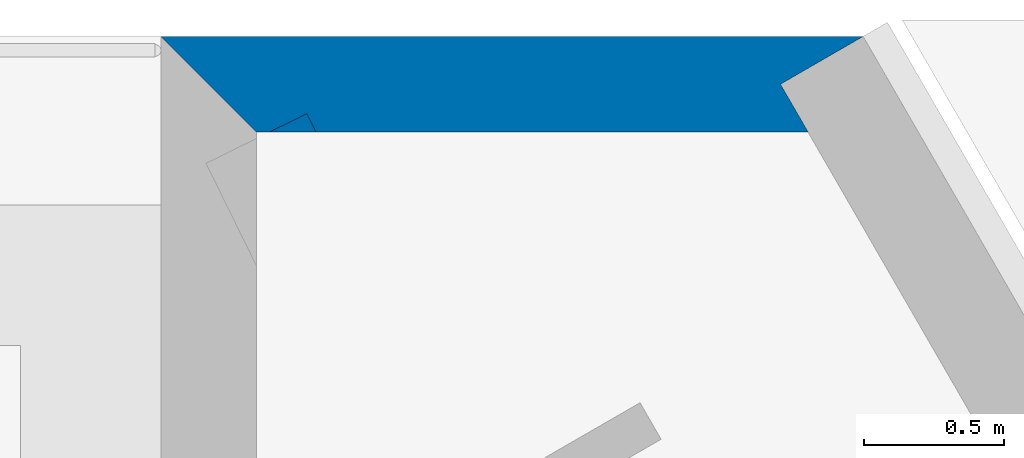
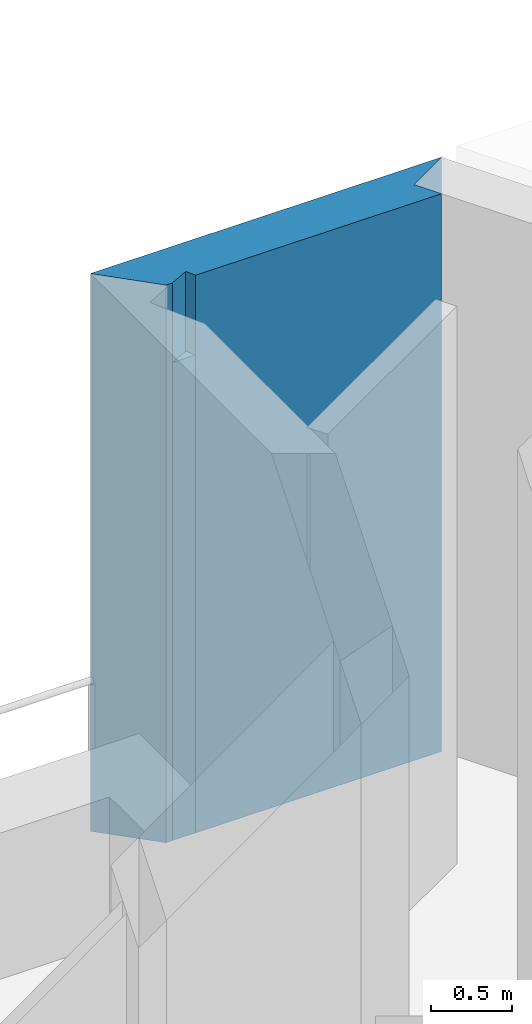
# One storey, part 11 of 13: 2 walls.
"""IFC4 building model written with IfcOpenShell, lengths in metres."""

from ifc_helpers import new_model, si_unit, direction, frame, origin, place, context, subcontext, project, spatial, polyline, outline, extrude, material, layer, layer_set, type_object, element, save


model = new_model("IFC4")

# Units and contexts
model_context = context("Model", 3, precision=1e-05, world=origin(), true_north=direction((0.0, 1.0)))
body_context = subcontext(model_context, "Body", "Model", "MODEL_VIEW")
ifc_project = project(units=[si_unit("LENGTHUNIT", "METRE"), si_unit("AREAUNIT", "SQUARE_METRE"), si_unit("VOLUMEUNIT", "CUBIC_METRE"), si_unit("PLANEANGLEUNIT", "RADIAN"), si_unit("MASSUNIT", "GRAM", prefix="KILO")], contexts=[model_context])

# Site, building, storey
site_placement = place(None, origin())
site = spatial("IfcSite", under=ifc_project, at=site_placement, CompositionType="ELEMENT")
building_placement = place(site_placement, origin())
building = spatial("IfcBuilding", under=site, at=building_placement, Name="Fogline Exchange Tower", CompositionType="ELEMENT")
storey_placement = place(building_placement, frame((0.0, 0.0, 25.0)))
storey = spatial("IfcBuildingStorey", under=building, at=storey_placement, Name="L04", CompositionType="ELEMENT", Elevation=25.0)

# Walls
ifc_material = material(Name="Brick masonry", Category="masonry")
ifc_layer = layer(ifc_material, 0.340087890625)
ifc_layer_set = layer_set([ifc_layer], Name="FW1")
wall_type = type_object("IfcWallType", Name="FW1", PredefinedType="SOLIDWALL", material=ifc_layer_set)
wall_1_placement = place(storey_placement, origin())
element("IfcWall", 1, at=wall_1_placement, inside=storey, type_object=wall_type, Name="Brick wall L04 N-c1", PredefinedType="SOLIDWALL", context=body_context, shape_type="SweptSolid", body=[
    extrude(outline(polyline([(2.386474609375, 55.951171875), (2.51953125, 56.0166015625), (2.5517578125, 55.951171875), (2.386474609375, 55.951171875)])), origin(), (0.0, 0.0, 1.0), 3.60009765625),
])
wall_2_placement = place(storey_placement, origin())
element("IfcWall", 2, at=wall_2_placement, inside=storey, type_object=wall_type, Name="Brick wall L04 N-c1", PredefinedType="SOLIDWALL", context=body_context, shape_type="SweptSolid", body=[
    extrude(outline(polyline([(4.5009765625, 56.292236328125), (4.501220703125, 56.291748046875), (4.206298828125, 56.121337890625), (4.3046875, 55.951171875), (2.5517578125, 55.951171875), (2.51953125, 56.0166015625), (2.386474609375, 55.951171875), (2.33984375, 55.951171875), (1.998779296875, 56.2919921875), (1.9990234375, 56.292236328125), (4.5009765625, 56.292236328125)])), origin(), (0.0, 0.0, 1.0), 4.199951171875),
])

save(model, "model.ifc")
